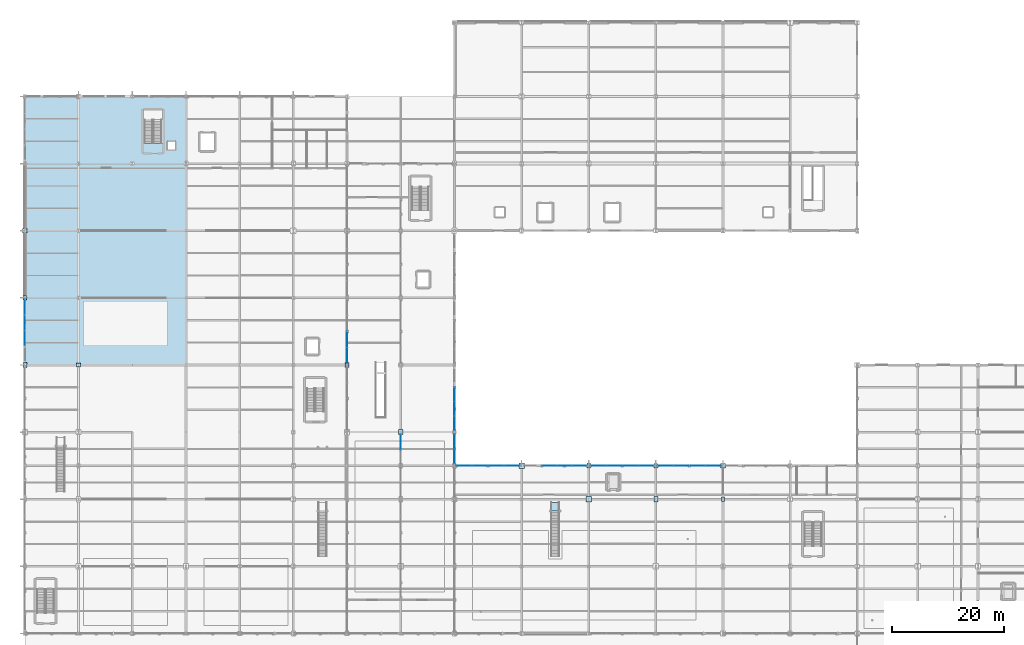
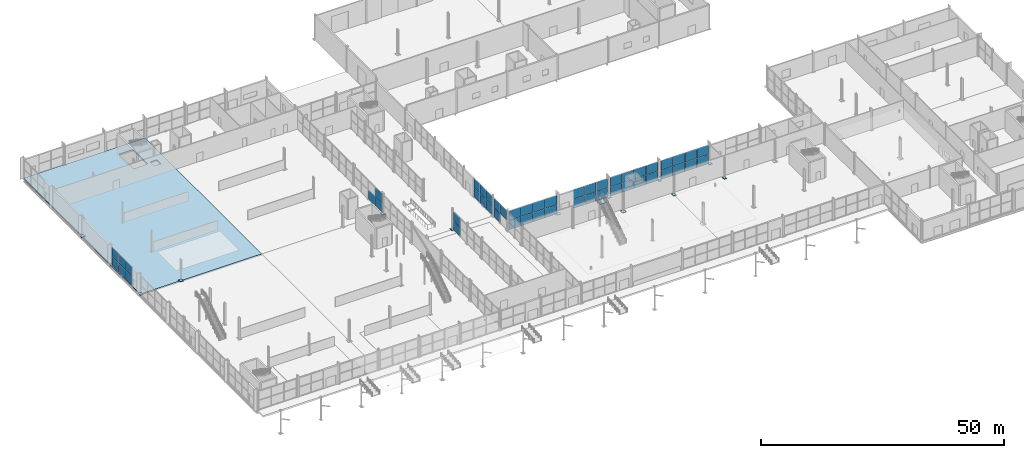
# One storey, part 148 of 196: 63 plates, 2 slabs, 10 elements without a shape of their own.
"""IFC4 building model written with IfcOpenShell, lengths in metres."""

from ifc_helpers import new_model, si_unit, direction, frame, origin, origin_2d, place, context, subcontext, project, spatial, polyline, rectangle, outline, extrude, material, layer, layer_set, type_object, element, aggregate, save


model = new_model("IFC4")

# Units and contexts
model_context = context("Model", 3, precision=1e-05, world=origin(), true_north=direction((0.0, 1.0)))
body_context = subcontext(model_context, "Body", "Model", "MODEL_VIEW")
ifc_project = project(units=[si_unit("LENGTHUNIT", "METRE"), si_unit("AREAUNIT", "SQUARE_METRE"), si_unit("VOLUMEUNIT", "CUBIC_METRE"), si_unit("PLANEANGLEUNIT", "RADIAN"), si_unit("MASSUNIT", "GRAM", prefix="KILO")], contexts=[model_context])

# Site, building, storey
site_placement = place(None, origin())
site = spatial("IfcSite", under=ifc_project, at=site_placement, CompositionType="ELEMENT")
building_placement = place(site_placement, origin())
building = spatial("IfcBuilding", under=site, at=building_placement, Name="Merenkruunu Market Hall", CompositionType="ELEMENT")
storey_placement = place(building_placement, origin())
storey = spatial("IfcBuildingStorey", under=building, at=storey_placement, Name="L00", CompositionType="ELEMENT", Elevation=0.0)

# Plates
ifc_material_1 = material(Name="Steel S355ML", Category="steel")
ifc_layer_1 = layer(ifc_material_1, 0.044921875)
ifc_layer_set_1 = layer_set([ifc_layer_1], Name="Steel S355ML")
plate_type_1 = type_object("IfcPlateType", Name="Column Base Plate BP01", PredefinedType="USERDEFINED", material=ifc_layer_set_1)
for number, where, z_axis, x_axis, name in (
    (1, (0.0, 87.60009765625, 0.0), (0.0, 0.0, 1.0), (1.0, 0.0, 0.0), "PLT-BP-A-10"),
    (2, (67.199951171875, 51.60009765625, 0.0), (0.0, 0.0, 1.0), (1.0, 0.0, 0.0), "PLT-BP-H-07"),
    (3, (124.800048828125, 45.60009765625, 0.0), (0.0, 0.0, 1.0), (1.0, 0.0, 0.0), "PLT-BP-N-06"),
):
    element("IfcPlate", number, at=place(storey_placement, frame(where, z_axis=z_axis, x_axis=x_axis)), inside=storey, type_object=plate_type_1, Name=name, ObjectType="BASE_PLATE", PredefinedType="USERDEFINED", context=body_context, shape_type="SweptSolid", body=[
        extrude(rectangle(XDim=0.85009765625, YDim=0.85009765625, at=origin_2d()), origin(), (0.0, 0.0, 1.0), 0.044921875),
    ])
ifc_layer_2 = layer(ifc_material_1, 0.0400390625)
ifc_layer_set_2 = layer_set([ifc_layer_2], Name="Steel S355ML")
plate_type_2 = type_object("IfcPlateType", Name="Column Base Plate BP02", PredefinedType="USERDEFINED", material=ifc_layer_set_2)
plate_1_placement = place(storey_placement, frame((9.60009765625, 63.60009765625, 0.0), z_axis=(0.0, 0.0, 1.0), x_axis=(1.0, 0.0, 0.0)))
element("IfcPlate", 4, at=plate_1_placement, inside=storey, type_object=plate_type_2, Name="PLT-BP-B-08", ObjectType="BASE_PLATE", PredefinedType="USERDEFINED", context=body_context, shape_type="SweptSolid", body=[
    extrude(rectangle(XDim=0.75, YDim=0.75, at=origin_2d()), origin(), (0.0, 0.0, 1.0), 0.0400390625),
])
ifc_layer_3 = layer(ifc_material_1, 0.050048828125)
ifc_layer_set_3 = layer_set([ifc_layer_3], Name="Steel S355ML")
plate_type_3 = type_object("IfcPlateType", Name="Column Base Plate BP06", PredefinedType="USERDEFINED", material=ifc_layer_set_3)
for number, where, z_axis, x_axis, name in (
    (5, (88.800048828125, 45.60009765625, 0.0), (0.0, 0.0, 1.0), (1.0, 0.0, 0.0), "PLT-BP-K-06"),
    (6, (100.800048828125, 39.60009765625, 0.0), (0.0, 0.0, 1.0), (1.0, 0.0, 0.0), "PLT-BP-L-05"),
):
    element("IfcPlate", number, at=place(storey_placement, frame(where, z_axis=z_axis, x_axis=x_axis)), inside=storey, type_object=plate_type_3, Name=name, ObjectType="BASE_PLATE", PredefinedType="USERDEFINED", context=body_context, shape_type="SweptSolid", body=[
        extrude(rectangle(XDim=0.949951171875, YDim=0.949951171875, at=origin_2d()), origin(), (0.0, 0.0, 1.0), 0.050048828125),
    ])
ifc_layer_4 = layer(ifc_material_1, 0.0419921875)
ifc_layer_set_4 = layer_set([ifc_layer_4], Name="Steel S355ML")
plate_type_4 = type_object("IfcPlateType", Name="Column Base Plate BP07", PredefinedType="USERDEFINED", material=ifc_layer_set_4)
for number, where, z_axis, x_axis, name in (
    (7, (0.0, 63.60009765625, 0.0), (0.0, 0.0, 1.0), (1.0, 0.0, 0.0), "PLT-BP-A-08"),
    (8, (57.60009765625, 63.60009765625, 0.0), (0.0, 0.0, 1.0), (1.0, 0.0, 0.0), "PLT-BP-G-08"),
    (9, (100.800048828125, 45.60009765625, 0.0), (0.0, 0.0, 1.0), (1.0, 0.0, 0.0), "PLT-BP-L-06"),
    (10, (112.800048828125, 39.60009765625, 0.0), (0.0, 0.0, 1.0), (1.0, 0.0, 0.0), "PLT-BP-M-05"),
):
    element("IfcPlate", number, at=place(storey_placement, frame(where, z_axis=z_axis, x_axis=x_axis)), inside=storey, type_object=plate_type_4, Name=name, ObjectType="BASE_PLATE", PredefinedType="USERDEFINED", context=body_context, shape_type="SweptSolid", body=[
        extrude(rectangle(XDim=0.699951171875, YDim=0.89990234375, at=origin_2d()), origin(), (0.0, 0.0, 1.0), 0.0419921875),
    ])
ifc_layer_5 = layer(ifc_material_1, 0.0380859375)
ifc_layer_set_5 = layer_set([ifc_layer_5], Name="Steel S355ML")
plate_type_5 = type_object("IfcPlateType", Name="Column Base Plate BP08", PredefinedType="USERDEFINED", material=ifc_layer_set_5)
for number, where, z_axis, x_axis, name in (
    (11, (0.0, 75.60009765625, 0.0), (0.0, 0.0, 1.0), (1.0, 0.0, 0.0), "PLT-BP-A-09"),
    (12, (112.800048828125, 45.60009765625, 0.0), (0.0, 0.0, 1.0), (1.0, 0.0, 0.0), "PLT-BP-M-06"),
    (13, (124.800048828125, 39.60009765625, 0.0), (0.0, 0.0, 1.0), (1.0, 0.0, 0.0), "PLT-BP-N-05"),
):
    element("IfcPlate", number, at=place(storey_placement, frame(where, z_axis=z_axis, x_axis=x_axis)), inside=storey, type_object=plate_type_5, Name=name, ObjectType="BASE_PLATE", PredefinedType="USERDEFINED", context=body_context, shape_type="SweptSolid", body=[
        extrude(rectangle(XDim=0.60009765625, YDim=0.800048828125, at=origin_2d()), origin(), (0.0, 0.0, 1.0), 0.0380859375),
    ])

# Curtain wall, plates
ifc_material_2 = material(Name="Powder-coated aluminium", Category="aluminium")
curtain_wall_type_1 = type_object("IfcCurtainWallType", Name="Glazed Curtain Wall CW01", PredefinedType="USERDEFINED", material=ifc_material_2)
curtain_wall_1_placement = place(storey_placement, origin())
curtain_wall_1 = element("IfcCurtainWall", 14, at=curtain_wall_1_placement, inside=storey, type_object=curtain_wall_type_1, Name="CW-L00-CWM01-013", ObjectType="GLAZED_FACADE", PredefinedType="USERDEFINED")
ifc_material_3 = material(Name="Triple low-E insulated glass", Category="glass")
ifc_layer_6 = layer(ifc_material_3, 0.035888671875)
ifc_layer_set_6 = layer_set([ifc_layer_6], Name="Triple low-E insulated glass")
plate_type_6 = type_object("IfcPlateType", Name="Curtain Wall Glazing Panel CWP01", PredefinedType="CURTAIN_PANEL", material=ifc_layer_set_6)
plate_2_placement = place(storey_placement, frame((0.0, 68.443359375, 0.06005859375), z_axis=(0.0, 0.0, 1.0), x_axis=(0.0, 1.0, 0.0)))
plate_2 = element("IfcPlate", 15, at=plate_2_placement, type_object=plate_type_6, Name="CW01 panel 1.1", PredefinedType="CURTAIN_PANEL", context=body_context, shape_type="SweptSolid", body=[
    extrude(rectangle(XDim=2.666748046875, YDim=0.035888671875, at=origin_2d()), origin(), (0.0, 0.0, 1.0), 2.260009765625),
])
plate_3_placement = place(storey_placement, frame((0.0, 68.443359375, 2.3798828125), z_axis=(0.0, 0.0, 1.0), x_axis=(0.0, 1.0, 0.0)))
plate_3 = element("IfcPlate", 16, at=plate_3_placement, type_object=plate_type_6, Name="CW01 panel 1.2", PredefinedType="CURTAIN_PANEL", context=body_context, shape_type="SweptSolid", body=[
    extrude(rectangle(XDim=2.666748046875, YDim=0.035888671875, at=origin_2d()), origin(), (0.0, 0.0, 1.0), 2.260009765625),
])
plate_4_placement = place(storey_placement, frame((0.0, 71.18505859375, 0.06005859375), z_axis=(0.0, 0.0, 1.0), x_axis=(0.0, 1.0, 0.0)))
plate_4 = element("IfcPlate", 17, at=plate_4_placement, type_object=plate_type_6, Name="CW01 panel 2.1", PredefinedType="CURTAIN_PANEL", context=body_context, shape_type="SweptSolid", body=[
    extrude(rectangle(XDim=2.69677734375, YDim=0.035888671875, at=origin_2d()), origin(), (0.0, 0.0, 1.0), 2.260009765625),
])
plate_5_placement = place(storey_placement, frame((0.0, 71.18505859375, 2.3798828125), z_axis=(0.0, 0.0, 1.0), x_axis=(0.0, 1.0, 0.0)))
plate_5 = element("IfcPlate", 18, at=plate_5_placement, type_object=plate_type_6, Name="CW01 panel 2.2", PredefinedType="CURTAIN_PANEL", context=body_context, shape_type="SweptSolid", body=[
    extrude(rectangle(XDim=2.69677734375, YDim=0.035888671875, at=origin_2d()), origin(), (0.0, 0.0, 1.0), 2.260009765625),
])
plate_6_placement = place(storey_placement, frame((0.0, 73.9267578125, 0.06005859375), z_axis=(0.0, 0.0, 1.0), x_axis=(0.0, 1.0, 0.0)))
plate_6 = element("IfcPlate", 19, at=plate_6_placement, type_object=plate_type_6, Name="CW01 panel 3.1", PredefinedType="CURTAIN_PANEL", context=body_context, shape_type="SweptSolid", body=[
    extrude(rectangle(XDim=2.666748046875, YDim=0.035888671875, at=origin_2d()), origin(), (0.0, 0.0, 1.0), 2.260009765625),
])
plate_7_placement = place(storey_placement, frame((0.0, 73.9267578125, 2.3798828125), z_axis=(0.0, 0.0, 1.0), x_axis=(0.0, 1.0, 0.0)))
plate_7 = element("IfcPlate", 20, at=plate_7_placement, type_object=plate_type_6, Name="CW01 panel 3.2", PredefinedType="CURTAIN_PANEL", context=body_context, shape_type="SweptSolid", body=[
    extrude(rectangle(XDim=2.666748046875, YDim=0.035888671875, at=origin_2d()), origin(), (0.0, 0.0, 1.0), 2.260009765625),
])
aggregate(curtain_wall_1, [plate_2, plate_3, plate_4, plate_5, plate_6, plate_7])

curtain_wall_type_2 = type_object("IfcCurtainWallType", Name="Glazed Curtain Wall CW02", PredefinedType="USERDEFINED", material=ifc_material_2)
curtain_wall_2_placement = place(storey_placement, origin())
curtain_wall_2 = element("IfcCurtainWall", 21, at=curtain_wall_2_placement, inside=storey, type_object=curtain_wall_type_2, Name="CW-L00-CWM01-130", ObjectType="GLAZED_FACADE", PredefinedType="USERDEFINED")
ifc_layer_7 = layer(ifc_material_3, 0.0380859375)
ifc_layer_set_7 = layer_set([ifc_layer_7], Name="Triple low-E insulated glass")
plate_type_7 = type_object("IfcPlateType", Name="Curtain Wall Glazing Panel CWP03", PredefinedType="CURTAIN_PANEL", material=ifc_layer_set_7)
plate_8_placement = place(storey_placement, frame((57.60009765625, 65.324951171875, 0.06005859375), z_axis=(0.0, 0.0, 1.0), x_axis=(0.0, 1.0, 0.0)))
plate_8 = element("IfcPlate", 22, at=plate_8_placement, type_object=plate_type_7, Name="CW02 panel 1.1", PredefinedType="CURTAIN_PANEL", context=body_context, shape_type="SweptSolid", body=[
    extrude(rectangle(XDim=2.77001953125, YDim=0.0380859375, at=origin_2d()), origin(), (0.0, 0.0, 1.0), 2.284912109375),
])
plate_9_placement = place(storey_placement, frame((57.60009765625, 65.324951171875, 2.4052734375), z_axis=(0.0, 0.0, 1.0), x_axis=(0.0, 1.0, 0.0)))
plate_9 = element("IfcPlate", 23, at=plate_9_placement, type_object=plate_type_7, Name="CW02 panel 1.2", PredefinedType="CURTAIN_PANEL", context=body_context, shape_type="SweptSolid", body=[
    extrude(rectangle(XDim=2.77001953125, YDim=0.0380859375, at=origin_2d()), origin(), (0.0, 0.0, 1.0), 2.284912109375),
])
plate_10_placement = place(storey_placement, frame((57.60009765625, 68.169921875, 0.06005859375), z_axis=(0.0, 0.0, 1.0), x_axis=(0.0, 1.0, 0.0)))
plate_10 = element("IfcPlate", 24, at=plate_10_placement, type_object=plate_type_7, Name="CW02 panel 2.1", PredefinedType="CURTAIN_PANEL", context=body_context, shape_type="SweptSolid", body=[
    extrude(rectangle(XDim=2.800048828125, YDim=0.0380859375, at=origin_2d()), origin(), (0.0, 0.0, 1.0), 2.284912109375),
])
aggregate(curtain_wall_2, [plate_8, plate_9, plate_10])

curtain_wall_type_3 = type_object("IfcCurtainWallType", Name="Glazed Curtain Wall CW04", PredefinedType="USERDEFINED", material=ifc_material_2)
curtain_wall_3_placement = place(storey_placement, origin())
curtain_wall_3 = element("IfcCurtainWall", 25, at=curtain_wall_3_placement, inside=storey, type_object=curtain_wall_type_3, Name="CW-L00-CWM02-182", ObjectType="GLAZED_FACADE", PredefinedType="USERDEFINED")
plate_11_placement = place(storey_placement, frame((78.52490234375, 45.60009765625, 0.06005859375), z_axis=(0.0, 0.0, 1.0), x_axis=(1.0, 0.0, 0.0)))
plate_11 = element("IfcPlate", 26, at=plate_11_placement, type_object=plate_type_7, Name="CW04 panel 1.1", PredefinedType="CURTAIN_PANEL", context=body_context, shape_type="SweptSolid", body=[
    extrude(rectangle(XDim=2.77001953125, YDim=0.0380859375, at=origin_2d()), origin(), (0.0, 0.0, 1.0), 2.284912109375),
])
plate_12_placement = place(storey_placement, frame((78.52490234375, 45.60009765625, 2.4052734375), z_axis=(0.0, 0.0, 1.0), x_axis=(1.0, 0.0, 0.0)))
plate_12 = element("IfcPlate", 27, at=plate_12_placement, type_object=plate_type_7, Name="CW04 panel 1.2", PredefinedType="CURTAIN_PANEL", context=body_context, shape_type="SweptSolid", body=[
    extrude(rectangle(XDim=2.77001953125, YDim=0.0380859375, at=origin_2d()), origin(), (0.0, 0.0, 1.0), 2.284912109375),
])
plate_13_placement = place(storey_placement, frame((81.3701171875, 45.60009765625, 0.06005859375), z_axis=(0.0, 0.0, 1.0), x_axis=(1.0, 0.0, 0.0)))
plate_13 = element("IfcPlate", 28, at=plate_13_placement, type_object=plate_type_7, Name="CW04 panel 2.1", PredefinedType="CURTAIN_PANEL", context=body_context, shape_type="SweptSolid", body=[
    extrude(rectangle(XDim=2.800048828125, YDim=0.0380859375, at=origin_2d()), origin(), (0.0, 0.0, 1.0), 2.284912109375),
])
plate_14_placement = place(storey_placement, frame((81.3701171875, 45.60009765625, 2.4052734375), z_axis=(0.0, 0.0, 1.0), x_axis=(1.0, 0.0, 0.0)))
plate_14 = element("IfcPlate", 29, at=plate_14_placement, type_object=plate_type_7, Name="CW04 panel 2.2", PredefinedType="CURTAIN_PANEL", context=body_context, shape_type="SweptSolid", body=[
    extrude(rectangle(XDim=2.800048828125, YDim=0.0380859375, at=origin_2d()), origin(), (0.0, 0.0, 1.0), 2.284912109375),
])
plate_15_placement = place(storey_placement, frame((84.22998046875, 45.60009765625, 0.06005859375), z_axis=(0.0, 0.0, 1.0), x_axis=(1.0, 0.0, 0.0)))
plate_15 = element("IfcPlate", 30, at=plate_15_placement, type_object=plate_type_7, Name="CW04 panel 3.1", PredefinedType="CURTAIN_PANEL", context=body_context, shape_type="SweptSolid", body=[
    extrude(rectangle(XDim=2.800048828125, YDim=0.0380859375, at=origin_2d()), origin(), (0.0, 0.0, 1.0), 2.284912109375),
])
plate_16_placement = place(storey_placement, frame((84.22998046875, 45.60009765625, 2.4052734375), z_axis=(0.0, 0.0, 1.0), x_axis=(1.0, 0.0, 0.0)))
plate_16 = element("IfcPlate", 31, at=plate_16_placement, type_object=plate_type_7, Name="CW04 panel 3.2", PredefinedType="CURTAIN_PANEL", context=body_context, shape_type="SweptSolid", body=[
    extrude(rectangle(XDim=2.800048828125, YDim=0.0380859375, at=origin_2d()), origin(), (0.0, 0.0, 1.0), 2.284912109375),
])
plate_17_placement = place(storey_placement, frame((87.074951171875, 45.60009765625, 0.06005859375), z_axis=(0.0, 0.0, 1.0), x_axis=(1.0, 0.0, 0.0)))
plate_17 = element("IfcPlate", 32, at=plate_17_placement, type_object=plate_type_7, Name="CW04 panel 4.1", PredefinedType="CURTAIN_PANEL", context=body_context, shape_type="SweptSolid", body=[
    extrude(rectangle(XDim=2.77001953125, YDim=0.0380859375, at=origin_2d()), origin(), (0.0, 0.0, 1.0), 2.284912109375),
])
plate_18_placement = place(storey_placement, frame((87.074951171875, 45.60009765625, 2.4052734375), z_axis=(0.0, 0.0, 1.0), x_axis=(1.0, 0.0, 0.0)))
plate_18 = element("IfcPlate", 33, at=plate_18_placement, type_object=plate_type_7, Name="CW04 panel 4.2", PredefinedType="CURTAIN_PANEL", context=body_context, shape_type="SweptSolid", body=[
    extrude(rectangle(XDim=2.77001953125, YDim=0.0380859375, at=origin_2d()), origin(), (0.0, 0.0, 1.0), 2.284912109375),
])
aggregate(curtain_wall_3, [plate_11, plate_12, plate_13, plate_14, plate_15, plate_16, plate_17, plate_18])

curtain_wall_type_4 = type_object("IfcCurtainWallType", Name="Glazed Curtain Wall CW06", PredefinedType="USERDEFINED", material=ifc_material_2)
curtain_wall_4_placement = place(storey_placement, origin())
curtain_wall_4 = element("IfcCurtainWall", 34, at=curtain_wall_4_placement, inside=storey, type_object=curtain_wall_type_4, Name="CW-L00-CWM01-184", ObjectType="GLAZED_FACADE", PredefinedType="USERDEFINED")
plate_19_placement = place(storey_placement, frame((93.768310546875, 45.60009765625, 0.06005859375), z_axis=(0.0, 0.0, 1.0), x_axis=(1.0, 0.0, 0.0)))
plate_19 = element("IfcPlate", 35, at=plate_19_placement, type_object=plate_type_7, Name="CW06 panel 1.1", PredefinedType="CURTAIN_PANEL", context=body_context, shape_type="SweptSolid", body=[
    extrude(rectangle(XDim=2.61669921875, YDim=0.0380859375, at=origin_2d()), origin(), (0.0, 0.0, 1.0), 2.284912109375),
])
plate_20_placement = place(storey_placement, frame((93.768310546875, 45.60009765625, 2.4052734375), z_axis=(0.0, 0.0, 1.0), x_axis=(1.0, 0.0, 0.0)))
plate_20 = element("IfcPlate", 36, at=plate_20_placement, type_object=plate_type_7, Name="CW06 panel 1.2", PredefinedType="CURTAIN_PANEL", context=body_context, shape_type="SweptSolid", body=[
    extrude(rectangle(XDim=2.61669921875, YDim=0.0380859375, at=origin_2d()), origin(), (0.0, 0.0, 1.0), 2.284912109375),
])
plate_21_placement = place(storey_placement, frame((96.4599609375, 45.60009765625, 0.06005859375), z_axis=(0.0, 0.0, 1.0), x_axis=(1.0, 0.0, 0.0)))
plate_21 = element("IfcPlate", 37, at=plate_21_placement, type_object=plate_type_7, Name="CW06 panel 2.1", PredefinedType="CURTAIN_PANEL", context=body_context, shape_type="SweptSolid", body=[
    extrude(rectangle(XDim=2.646728515625, YDim=0.0380859375, at=origin_2d()), origin(), (0.0, 0.0, 1.0), 2.284912109375),
])
plate_22_placement = place(storey_placement, frame((96.4599609375, 45.60009765625, 2.4052734375), z_axis=(0.0, 0.0, 1.0), x_axis=(1.0, 0.0, 0.0)))
plate_22 = element("IfcPlate", 38, at=plate_22_placement, type_object=plate_type_7, Name="CW06 panel 2.2", PredefinedType="CURTAIN_PANEL", context=body_context, shape_type="SweptSolid", body=[
    extrude(rectangle(XDim=2.646728515625, YDim=0.0380859375, at=origin_2d()), origin(), (0.0, 0.0, 1.0), 2.284912109375),
])
plate_23_placement = place(storey_placement, frame((99.151611328125, 45.60009765625, 0.06005859375), z_axis=(0.0, 0.0, 1.0), x_axis=(1.0, 0.0, 0.0)))
plate_23 = element("IfcPlate", 39, at=plate_23_placement, type_object=plate_type_7, Name="CW06 panel 3.1", PredefinedType="CURTAIN_PANEL", context=body_context, shape_type="SweptSolid", body=[
    extrude(rectangle(XDim=2.61669921875, YDim=0.0380859375, at=origin_2d()), origin(), (0.0, 0.0, 1.0), 2.284912109375),
])
plate_24_placement = place(storey_placement, frame((99.151611328125, 45.60009765625, 2.4052734375), z_axis=(0.0, 0.0, 1.0), x_axis=(1.0, 0.0, 0.0)))
plate_24 = element("IfcPlate", 40, at=plate_24_placement, type_object=plate_type_7, Name="CW06 panel 3.2", PredefinedType="CURTAIN_PANEL", context=body_context, shape_type="SweptSolid", body=[
    extrude(rectangle(XDim=2.61669921875, YDim=0.0380859375, at=origin_2d()), origin(), (0.0, 0.0, 1.0), 2.284912109375),
])
aggregate(curtain_wall_4, [plate_19, plate_20, plate_21, plate_22, plate_23, plate_24])

curtain_wall_5_placement = place(storey_placement, origin())
curtain_wall_5 = element("IfcCurtainWall", 41, at=curtain_wall_5_placement, inside=storey, type_object=curtain_wall_type_3, Name="CW-L00-CWM02-188", ObjectType="GLAZED_FACADE", PredefinedType="USERDEFINED")
plate_25_placement = place(storey_placement, frame((102.52490234375, 45.60009765625, 0.06005859375), z_axis=(0.0, 0.0, 1.0), x_axis=(1.0, 0.0, 0.0)))
plate_25 = element("IfcPlate", 42, at=plate_25_placement, type_object=plate_type_7, Name="CW04 panel 1.1", PredefinedType="CURTAIN_PANEL", context=body_context, shape_type="SweptSolid", body=[
    extrude(rectangle(XDim=2.77001953125, YDim=0.0380859375, at=origin_2d()), origin(), (0.0, 0.0, 1.0), 2.284912109375),
])
plate_26_placement = place(storey_placement, frame((102.52490234375, 45.60009765625, 2.4052734375), z_axis=(0.0, 0.0, 1.0), x_axis=(1.0, 0.0, 0.0)))
plate_26 = element("IfcPlate", 43, at=plate_26_placement, type_object=plate_type_7, Name="CW04 panel 1.2", PredefinedType="CURTAIN_PANEL", context=body_context, shape_type="SweptSolid", body=[
    extrude(rectangle(XDim=2.77001953125, YDim=0.0380859375, at=origin_2d()), origin(), (0.0, 0.0, 1.0), 2.284912109375),
])
plate_27_placement = place(storey_placement, frame((105.3701171875, 45.60009765625, 0.06005859375), z_axis=(0.0, 0.0, 1.0), x_axis=(1.0, 0.0, 0.0)))
plate_27 = element("IfcPlate", 44, at=plate_27_placement, type_object=plate_type_7, Name="CW04 panel 2.1", PredefinedType="CURTAIN_PANEL", context=body_context, shape_type="SweptSolid", body=[
    extrude(rectangle(XDim=2.800048828125, YDim=0.0380859375, at=origin_2d()), origin(), (0.0, 0.0, 1.0), 2.284912109375),
])
plate_28_placement = place(storey_placement, frame((105.3701171875, 45.60009765625, 2.4052734375), z_axis=(0.0, 0.0, 1.0), x_axis=(1.0, 0.0, 0.0)))
plate_28 = element("IfcPlate", 45, at=plate_28_placement, type_object=plate_type_7, Name="CW04 panel 2.2", PredefinedType="CURTAIN_PANEL", context=body_context, shape_type="SweptSolid", body=[
    extrude(rectangle(XDim=2.800048828125, YDim=0.0380859375, at=origin_2d()), origin(), (0.0, 0.0, 1.0), 2.284912109375),
])
plate_29_placement = place(storey_placement, frame((108.22998046875, 45.60009765625, 0.06005859375), z_axis=(0.0, 0.0, 1.0), x_axis=(1.0, 0.0, 0.0)))
plate_29 = element("IfcPlate", 46, at=plate_29_placement, type_object=plate_type_7, Name="CW04 panel 3.1", PredefinedType="CURTAIN_PANEL", context=body_context, shape_type="SweptSolid", body=[
    extrude(rectangle(XDim=2.800048828125, YDim=0.0380859375, at=origin_2d()), origin(), (0.0, 0.0, 1.0), 2.284912109375),
])
plate_30_placement = place(storey_placement, frame((108.22998046875, 45.60009765625, 2.4052734375), z_axis=(0.0, 0.0, 1.0), x_axis=(1.0, 0.0, 0.0)))
plate_30 = element("IfcPlate", 47, at=plate_30_placement, type_object=plate_type_7, Name="CW04 panel 3.2", PredefinedType="CURTAIN_PANEL", context=body_context, shape_type="SweptSolid", body=[
    extrude(rectangle(XDim=2.800048828125, YDim=0.0380859375, at=origin_2d()), origin(), (0.0, 0.0, 1.0), 2.284912109375),
])
plate_31_placement = place(storey_placement, frame((111.074951171875, 45.60009765625, 0.06005859375), z_axis=(0.0, 0.0, 1.0), x_axis=(1.0, 0.0, 0.0)))
plate_31 = element("IfcPlate", 48, at=plate_31_placement, type_object=plate_type_7, Name="CW04 panel 4.1", PredefinedType="CURTAIN_PANEL", context=body_context, shape_type="SweptSolid", body=[
    extrude(rectangle(XDim=2.77001953125, YDim=0.0380859375, at=origin_2d()), origin(), (0.0, 0.0, 1.0), 2.284912109375),
])
plate_32_placement = place(storey_placement, frame((111.074951171875, 45.60009765625, 2.4052734375), z_axis=(0.0, 0.0, 1.0), x_axis=(1.0, 0.0, 0.0)))
plate_32 = element("IfcPlate", 49, at=plate_32_placement, type_object=plate_type_7, Name="CW04 panel 4.2", PredefinedType="CURTAIN_PANEL", context=body_context, shape_type="SweptSolid", body=[
    extrude(rectangle(XDim=2.77001953125, YDim=0.0380859375, at=origin_2d()), origin(), (0.0, 0.0, 1.0), 2.284912109375),
])
aggregate(curtain_wall_5, [plate_25, plate_26, plate_27, plate_28, plate_29, plate_30, plate_31, plate_32])

curtain_wall_6_placement = place(storey_placement, origin())
curtain_wall_6 = element("IfcCurtainWall", 50, at=curtain_wall_6_placement, inside=storey, type_object=curtain_wall_type_3, Name="CW-L00-CWM02-192", ObjectType="GLAZED_FACADE", PredefinedType="USERDEFINED")
plate_33_placement = place(storey_placement, frame((114.52490234375, 45.60009765625, 0.06005859375), z_axis=(0.0, 0.0, 1.0), x_axis=(1.0, 0.0, 0.0)))
plate_33 = element("IfcPlate", 51, at=plate_33_placement, type_object=plate_type_7, Name="CW04 panel 1.1", PredefinedType="CURTAIN_PANEL", context=body_context, shape_type="SweptSolid", body=[
    extrude(rectangle(XDim=2.77001953125, YDim=0.0380859375, at=origin_2d()), origin(), (0.0, 0.0, 1.0), 2.284912109375),
])
plate_34_placement = place(storey_placement, frame((114.52490234375, 45.60009765625, 2.4052734375), z_axis=(0.0, 0.0, 1.0), x_axis=(1.0, 0.0, 0.0)))
plate_34 = element("IfcPlate", 52, at=plate_34_placement, type_object=plate_type_7, Name="CW04 panel 1.2", PredefinedType="CURTAIN_PANEL", context=body_context, shape_type="SweptSolid", body=[
    extrude(rectangle(XDim=2.77001953125, YDim=0.0380859375, at=origin_2d()), origin(), (0.0, 0.0, 1.0), 2.284912109375),
])
plate_35_placement = place(storey_placement, frame((117.3701171875, 45.60009765625, 0.06005859375), z_axis=(0.0, 0.0, 1.0), x_axis=(1.0, 0.0, 0.0)))
plate_35 = element("IfcPlate", 53, at=plate_35_placement, type_object=plate_type_7, Name="CW04 panel 2.1", PredefinedType="CURTAIN_PANEL", context=body_context, shape_type="SweptSolid", body=[
    extrude(rectangle(XDim=2.800048828125, YDim=0.0380859375, at=origin_2d()), origin(), (0.0, 0.0, 1.0), 2.284912109375),
])
plate_36_placement = place(storey_placement, frame((117.3701171875, 45.60009765625, 2.4052734375), z_axis=(0.0, 0.0, 1.0), x_axis=(1.0, 0.0, 0.0)))
plate_36 = element("IfcPlate", 54, at=plate_36_placement, type_object=plate_type_7, Name="CW04 panel 2.2", PredefinedType="CURTAIN_PANEL", context=body_context, shape_type="SweptSolid", body=[
    extrude(rectangle(XDim=2.800048828125, YDim=0.0380859375, at=origin_2d()), origin(), (0.0, 0.0, 1.0), 2.284912109375),
])
plate_37_placement = place(storey_placement, frame((120.22998046875, 45.60009765625, 0.06005859375), z_axis=(0.0, 0.0, 1.0), x_axis=(1.0, 0.0, 0.0)))
plate_37 = element("IfcPlate", 55, at=plate_37_placement, type_object=plate_type_7, Name="CW04 panel 3.1", PredefinedType="CURTAIN_PANEL", context=body_context, shape_type="SweptSolid", body=[
    extrude(rectangle(XDim=2.800048828125, YDim=0.0380859375, at=origin_2d()), origin(), (0.0, 0.0, 1.0), 2.284912109375),
])
plate_38_placement = place(storey_placement, frame((120.22998046875, 45.60009765625, 2.4052734375), z_axis=(0.0, 0.0, 1.0), x_axis=(1.0, 0.0, 0.0)))
plate_38 = element("IfcPlate", 56, at=plate_38_placement, type_object=plate_type_7, Name="CW04 panel 3.2", PredefinedType="CURTAIN_PANEL", context=body_context, shape_type="SweptSolid", body=[
    extrude(rectangle(XDim=2.800048828125, YDim=0.0380859375, at=origin_2d()), origin(), (0.0, 0.0, 1.0), 2.284912109375),
])
plate_39_placement = place(storey_placement, frame((123.074951171875, 45.60009765625, 0.06005859375), z_axis=(0.0, 0.0, 1.0), x_axis=(1.0, 0.0, 0.0)))
plate_39 = element("IfcPlate", 57, at=plate_39_placement, type_object=plate_type_7, Name="CW04 panel 4.1", PredefinedType="CURTAIN_PANEL", context=body_context, shape_type="SweptSolid", body=[
    extrude(rectangle(XDim=2.77001953125, YDim=0.0380859375, at=origin_2d()), origin(), (0.0, 0.0, 1.0), 2.284912109375),
])
plate_40_placement = place(storey_placement, frame((123.074951171875, 45.60009765625, 2.4052734375), z_axis=(0.0, 0.0, 1.0), x_axis=(1.0, 0.0, 0.0)))
plate_40 = element("IfcPlate", 58, at=plate_40_placement, type_object=plate_type_7, Name="CW04 panel 4.2", PredefinedType="CURTAIN_PANEL", context=body_context, shape_type="SweptSolid", body=[
    extrude(rectangle(XDim=2.77001953125, YDim=0.0380859375, at=origin_2d()), origin(), (0.0, 0.0, 1.0), 2.284912109375),
])
aggregate(curtain_wall_6, [plate_33, plate_34, plate_35, plate_36, plate_37, plate_38, plate_39, plate_40])

curtain_wall_type_5 = type_object("IfcCurtainWallType", Name="Glazed Curtain Wall CW12", PredefinedType="USERDEFINED", material=ifc_material_2)
curtain_wall_7_placement = place(storey_placement, origin())
curtain_wall_7 = element("IfcCurtainWall", 59, at=curtain_wall_7_placement, inside=storey, type_object=curtain_wall_type_5, Name="CW-L00-CWM02-159", ObjectType="GLAZED_FACADE", PredefinedType="USERDEFINED")
ifc_layer_8 = layer(ifc_material_3, 0.035888671875)
ifc_layer_set_8 = layer_set([ifc_layer_8], Name="Triple low-E insulated glass")
plate_type_8 = type_object("IfcPlateType", Name="Curtain Wall Glazing Panel CWP05", PredefinedType="CURTAIN_PANEL", material=ifc_layer_set_8)
plate_41_placement = place(storey_placement, frame((76.800048828125, 58.29833984375, 0.06005859375), z_axis=(0.0, 0.0, 1.0), x_axis=(0.0, -1.0, 0.0)))
plate_41 = element("IfcPlate", 60, at=plate_41_placement, type_object=plate_type_8, Name="CW12 panel 1.1", PredefinedType="CURTAIN_PANEL", context=body_context, shape_type="SweptSolid", body=[
    extrude(rectangle(XDim=2.4833984375, YDim=0.035888671875, at=origin_2d()), origin(), (0.0, 0.0, 1.0), 2.284912109375),
])
plate_42_placement = place(storey_placement, frame((76.800048828125, 58.29833984375, 2.4052734375), z_axis=(0.0, 0.0, 1.0), x_axis=(0.0, -1.0, 0.0)))
plate_42 = element("IfcPlate", 61, at=plate_42_placement, type_object=plate_type_8, Name="CW12 panel 1.2", PredefinedType="CURTAIN_PANEL", context=body_context, shape_type="SweptSolid", body=[
    extrude(rectangle(XDim=2.4833984375, YDim=0.035888671875, at=origin_2d()), origin(), (0.0, 0.0, 1.0), 2.284912109375),
])
plate_43_placement = place(storey_placement, frame((76.800048828125, 55.739990234375, 0.06005859375), z_axis=(0.0, 0.0, 1.0), x_axis=(0.0, -1.0, 0.0)))
plate_43 = element("IfcPlate", 62, at=plate_43_placement, type_object=plate_type_8, Name="CW12 panel 2.1", PredefinedType="CURTAIN_PANEL", context=body_context, shape_type="SweptSolid", body=[
    extrude(rectangle(XDim=2.513427734375, YDim=0.035888671875, at=origin_2d()), origin(), (0.0, 0.0, 1.0), 2.284912109375),
])
plate_44_placement = place(storey_placement, frame((76.800048828125, 55.739990234375, 2.4052734375), z_axis=(0.0, 0.0, 1.0), x_axis=(0.0, -1.0, 0.0)))
plate_44 = element("IfcPlate", 63, at=plate_44_placement, type_object=plate_type_8, Name="CW12 panel 2.2", PredefinedType="CURTAIN_PANEL", context=body_context, shape_type="SweptSolid", body=[
    extrude(rectangle(XDim=2.513427734375, YDim=0.035888671875, at=origin_2d()), origin(), (0.0, 0.0, 1.0), 2.284912109375),
])
plate_45_placement = place(storey_placement, frame((76.800048828125, 53.181640625, 0.06005859375), z_axis=(0.0, 0.0, 1.0), x_axis=(0.0, -1.0, 0.0)))
plate_45 = element("IfcPlate", 64, at=plate_45_placement, type_object=plate_type_8, Name="CW12 panel 3.1", PredefinedType="CURTAIN_PANEL", context=body_context, shape_type="SweptSolid", body=[
    extrude(rectangle(XDim=2.4833984375, YDim=0.035888671875, at=origin_2d()), origin(), (0.0, 0.0, 1.0), 2.284912109375),
])
plate_46_placement = place(storey_placement, frame((76.800048828125, 53.181640625, 2.4052734375), z_axis=(0.0, 0.0, 1.0), x_axis=(0.0, -1.0, 0.0)))
plate_46 = element("IfcPlate", 65, at=plate_46_placement, type_object=plate_type_8, Name="CW12 panel 3.2", PredefinedType="CURTAIN_PANEL", context=body_context, shape_type="SweptSolid", body=[
    extrude(rectangle(XDim=2.4833984375, YDim=0.035888671875, at=origin_2d()), origin(), (0.0, 0.0, 1.0), 2.284912109375),
])
aggregate(curtain_wall_7, [plate_41, plate_42, plate_43, plate_44, plate_45, plate_46])

curtain_wall_8_placement = place(storey_placement, origin())
curtain_wall_8 = element("IfcCurtainWall", 66, at=curtain_wall_8_placement, inside=storey, type_object=curtain_wall_type_5, Name="CW-L00-CWM02-156", ObjectType="GLAZED_FACADE", PredefinedType="USERDEFINED")
ifc_layer_9 = layer(ifc_material_3, 0.035888671875)
ifc_layer_set_9 = layer_set([ifc_layer_9], Name="Triple low-E insulated glass")
plate_type_9 = type_object("IfcPlateType", Name="Curtain Wall Glazing Panel CWP08", PredefinedType="CURTAIN_PANEL", material=ifc_layer_set_9)
plate_47_placement = place(storey_placement, frame((76.800048828125, 49.945068359375, 0.06005859375), z_axis=(0.0, 0.0, 1.0), x_axis=(0.0, -1.0, 0.0)))
plate_47 = element("IfcPlate", 67, at=plate_47_placement, type_object=plate_type_9, Name="CW12 panel 1.1", PredefinedType="CURTAIN_PANEL", context=body_context, shape_type="SweptSolid", body=[
    extrude(rectangle(XDim=2.6298828125, YDim=0.035888671875, at=origin_2d()), origin(), (0.0, 0.0, 1.0), 2.284912109375),
])
plate_48_placement = place(storey_placement, frame((76.800048828125, 49.945068359375, 2.4052734375), z_axis=(0.0, 0.0, 1.0), x_axis=(0.0, -1.0, 0.0)))
plate_48 = element("IfcPlate", 68, at=plate_48_placement, type_object=plate_type_9, Name="CW12 panel 1.2", PredefinedType="CURTAIN_PANEL", context=body_context, shape_type="SweptSolid", body=[
    extrude(rectangle(XDim=2.6298828125, YDim=0.035888671875, at=origin_2d()), origin(), (0.0, 0.0, 1.0), 2.284912109375),
])
plate_49_placement = place(storey_placement, frame((76.800048828125, 47.2548828125, 2.4052734375), z_axis=(0.0, 0.0, 1.0), x_axis=(0.0, -1.0, 0.0)))
plate_49 = element("IfcPlate", 69, at=plate_49_placement, type_object=plate_type_9, Name="CW12 panel 2.2", PredefinedType="CURTAIN_PANEL", context=body_context, shape_type="SweptSolid", body=[
    extrude(rectangle(XDim=2.6298828125, YDim=0.035888671875, at=origin_2d()), origin(), (0.0, 0.0, 1.0), 2.284912109375),
])
aggregate(curtain_wall_8, [plate_47, plate_48, plate_49])

curtain_wall_type_6 = type_object("IfcCurtainWallType", Name="Glazed Curtain Wall CW15", PredefinedType="USERDEFINED", material=ifc_material_2)
curtain_wall_9_placement = place(storey_placement, origin())
curtain_wall_9 = element("IfcCurtainWall", 70, at=curtain_wall_9_placement, inside=storey, type_object=curtain_wall_type_6, Name="CW-L00-CWM01-172", ObjectType="GLAZED_FACADE", PredefinedType="USERDEFINED")
ifc_layer_10 = layer(ifc_material_3, 0.035888671875)
ifc_layer_set_10 = layer_set([ifc_layer_10], Name="Triple low-E insulated glass")
plate_type_10 = type_object("IfcPlateType", Name="Curtain Wall Glazing Panel CWP09", PredefinedType="CURTAIN_PANEL", material=ifc_layer_set_10)
plate_50_placement = place(storey_placement, frame((67.199951171875, 49.875, 0.06005859375), z_axis=(0.0, 0.0, 1.0), x_axis=(0.0, 1.0, 0.0)))
plate_50 = element("IfcPlate", 71, at=plate_50_placement, type_object=plate_type_10, Name="CW15 panel 4.1", PredefinedType="CURTAIN_PANEL", context=body_context, shape_type="SweptSolid", body=[
    extrude(rectangle(XDim=2.77001953125, YDim=0.035888671875, at=origin_2d()), origin(), (0.0, 0.0, 1.0), 2.235107421875),
])
plate_51_placement = place(storey_placement, frame((67.199951171875, 49.875, 2.35498046875), z_axis=(0.0, 0.0, 1.0), x_axis=(0.0, 1.0, 0.0)))
plate_51 = element("IfcPlate", 72, at=plate_51_placement, type_object=plate_type_10, Name="CW15 panel 4.2", PredefinedType="CURTAIN_PANEL", context=body_context, shape_type="SweptSolid", body=[
    extrude(rectangle(XDim=2.77001953125, YDim=0.035888671875, at=origin_2d()), origin(), (0.0, 0.0, 1.0), 2.235107421875),
])
aggregate(curtain_wall_9, [plate_50, plate_51])

# Stair, slab
ifc_material_4 = material(Name="Steel S355J2", Category="steel")
stair_type = type_object("IfcStairType", Name="Single Run Feature Stair FST01", PredefinedType="STRAIGHT_RUN_STAIR", material=ifc_material_4)
stair_placement = place(storey_placement, origin())
stair = element("IfcStair", 73, at=stair_placement, inside=storey, type_object=stair_type, Name="Public Feature Stair FST04 (L00-L01)", PredefinedType="STRAIGHT_RUN_STAIR")
ifc_layer_11 = layer(ifc_material_4, 0.14990234375)
ifc_layer_set_11 = layer_set([ifc_layer_11], Name="Steel S355J2")
slab_type_1 = type_object("IfcSlabType", Name="Stair Half Landing LS02", PredefinedType="LANDING", material=ifc_layer_set_11)
slab_1_placement = place(storey_placement, frame((0.0, 0.0, 5.25)))
slab_1 = element("IfcSlab", 74, at=slab_1_placement, type_object=slab_type_1, Name="FST04 landing 1", PredefinedType="LANDING", context=body_context, shape_type="SweptSolid", body=[
    extrude(outline(polyline([(94.050048828125, 37.5), (95.550048828125, 37.5), (95.550048828125, 39.044921875), (94.050048828125, 39.044921875), (94.050048828125, 37.5)])), origin(), (0.0, 0.0, 1.0), 0.14990234375),
])
aggregate(stair, [slab_1])

# Slab
ifc_material_5 = material(Name="Concrete C35/45", Category="concrete")
ifc_layer_12 = layer(ifc_material_5, 0.340087890625)
ifc_layer_set_12 = layer_set([ifc_layer_12], Name="Concrete C35/45")
slab_type_2 = type_object("IfcSlabType", Name="Suspended Floor Slab FS01", PredefinedType="FLOOR", material=ifc_layer_set_12)
slab_2_placement = place(storey_placement, frame((0.0, 0.0, -0.340087890625)))
element("IfcSlab", 75, at=slab_2_placement, inside=storey, type_object=slab_type_2, Name="SL-L00-V1C", PredefinedType="FLOOR", context=body_context, shape_type="SweptSolid", body=[
    extrude(outline(polyline([(0.0, 63.60009765625), (28.800048828125, 63.60009765625), (28.800048828125, 111.60009765625), (0.0, 111.60009765625), (0.0, 63.60009765625)]), holes=[polyline([(21.18994140625, 103.260009765625), (24.610107421875, 103.260009765625), (24.610107421875, 109.2099609375), (21.18994140625, 109.2099609375), (21.18994140625, 103.260009765625)]), polyline([(25.39990234375, 102.0), (27.0, 102.0), (27.0, 103.60009765625), (25.39990234375, 103.60009765625), (25.39990234375, 102.0)])]), origin(), (0.0, 0.0, 1.0), 0.340087890625),
])

save(model, "model.ifc")
